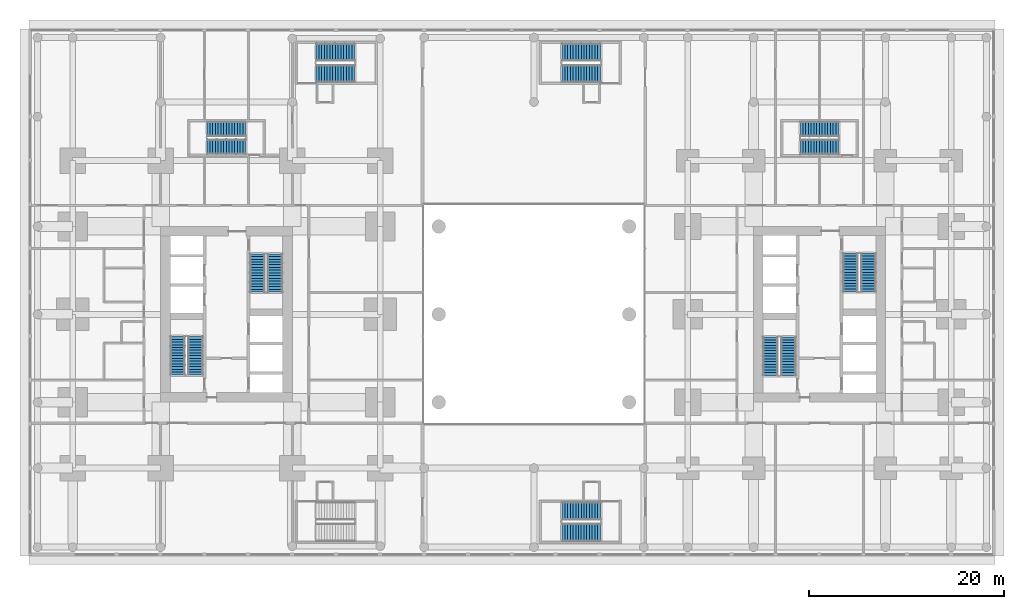
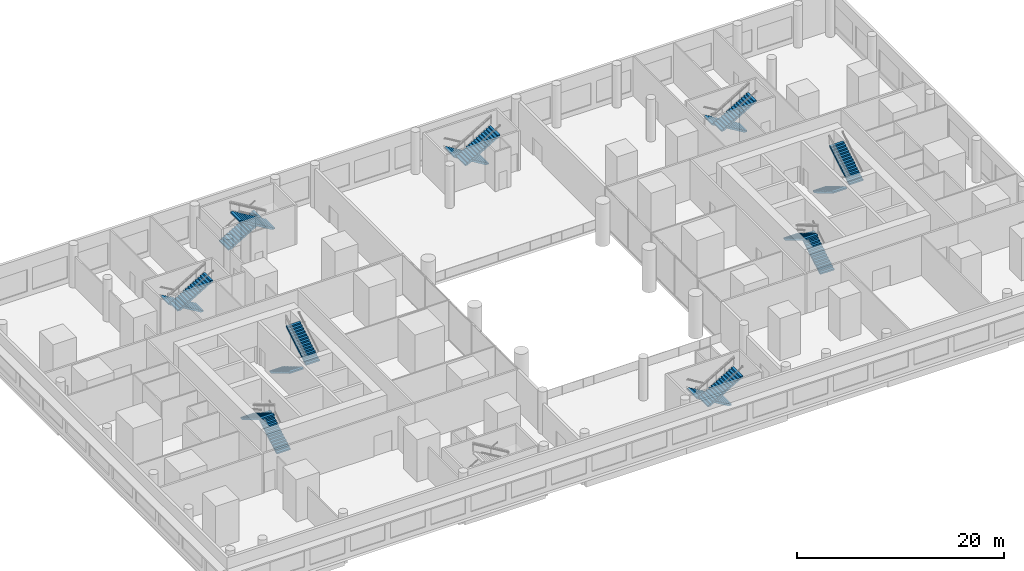
# One storey, part 17 of 21: 18 stair flights, 9 elements without a shape of their own.
"""IFC4 building model written with IfcOpenShell, lengths in metres."""

from ifc_helpers import new_model, si_unit, direction, frame, origin, place, context, subcontext, project, spatial, polyline, outline, extrude, material, type_object, element, aggregate, save


model = new_model("IFC4")

# Units and contexts
model_context = context("Model", 3, precision=1e-05, world=origin(), true_north=direction((0.0, 1.0)))
body_context = subcontext(model_context, "Body", "Model", "MODEL_VIEW")
ifc_project = project(units=[si_unit("LENGTHUNIT", "METRE"), si_unit("AREAUNIT", "SQUARE_METRE"), si_unit("VOLUMEUNIT", "CUBIC_METRE"), si_unit("PLANEANGLEUNIT", "RADIAN"), si_unit("MASSUNIT", "GRAM", prefix="KILO")], contexts=[model_context])

# Site, building, storey
site_placement = place(None, origin())
site = spatial("IfcSite", under=ifc_project, at=site_placement, CompositionType="ELEMENT")
building_placement = place(site_placement, origin())
building = spatial("IfcBuilding", under=site, at=building_placement, Name="Namib Vertical Campus", CompositionType="ELEMENT")
storey_placement = place(building_placement, frame((0.0, 0.0, 6.0)))
storey = spatial("IfcBuildingStorey", under=building, at=storey_placement, Name="L01", CompositionType="ELEMENT", Elevation=6.0)

# Stair, stair flights
ifc_material_1 = material(Name="Concrete C40/50 precast", Category="concrete")
stair_type_1 = type_object("IfcStairType", Name="Exit stair 5000 rise 30 risers 3350 wide", PredefinedType="HALF_TURN_STAIR", material=ifc_material_1)
stair_1_placement = place(storey_placement, origin())
stair_1 = element("IfcStair", 1, at=stair_1_placement, inside=storey, type_object=stair_type_1, Name="Exit stair A-S1 L01", PredefinedType="HALF_TURN_STAIR")
ifc_material_2 = material(Name="Concrete C40/50 precast", Category="concrete")
stair_flight_type_1 = type_object("IfcStairFlightType", Name="Stair flight 15 risers 167 1525 wide", PredefinedType="STRAIGHT", material=ifc_material_2)
stair_flight_1_placement = place(storey_placement, frame((17.08740234375, 14.050048828125, 0.0), z_axis=(0.0, 0.0, 1.0), x_axis=(0.0, 1.0, 0.0)))
stair_flight_1 = element("IfcStairFlight", 2, at=stair_flight_1_placement, type_object=stair_flight_type_1, Name="A-S1 flight 1", NumberOfRisers=15, NumberOfTreads=14, PredefinedType="STRAIGHT", RiserHeight=0.166666667, TreadLength=0.28, context=body_context, shape_type="SweptSolid", body=[
    extrude(outline(polyline([(0.0, 0.0), (0.0, 0.166748046875), (0.280029296875, 0.166748046875), (0.280029296875, 0.333251953125), (0.56005859375, 0.333251953125), (0.56005859375, 0.5), (0.840087890625, 0.5), (0.840087890625, 0.666748046875), (1.1201171875, 0.666748046875), (1.1201171875, 0.833251953125), (1.39990234375, 0.833251953125), (1.39990234375, 1.0), (1.679931640625, 1.0), (1.679931640625, 1.166748046875), (1.9599609375, 1.166748046875), (1.9599609375, 1.333251953125), (2.239990234375, 1.333251953125), (2.239990234375, 1.5), (2.52001953125, 1.5), (2.52001953125, 1.666748046875), (2.800048828125, 1.666748046875), (2.800048828125, 1.833251953125), (3.080078125, 1.833251953125), (3.080078125, 2.0), (3.360107421875, 2.0), (3.360107421875, 2.166748046875), (3.639892578125, 2.166748046875), (3.639892578125, 2.333251953125), (3.919921875, 2.333251953125), (3.919921875, 2.5), (3.919921875, 2.158935546875), (0.29296875, 0.0), (0.0, 0.0)])), frame((0.0, 0.762451171875, 0.0), z_axis=(0.0, -1.0, 0.0), x_axis=(1.0, 0.0, 0.0)), (0.0, 0.0, 1.0), 1.52490234375),
])
stair_flight_2_placement = place(storey_placement, frame((15.262451171875, 17.969970703125, 2.5), z_axis=(0.0, 0.0, 1.0), x_axis=(0.0, -1.0, 0.0)))
stair_flight_2 = element("IfcStairFlight", 3, at=stair_flight_2_placement, type_object=stair_flight_type_1, Name="A-S1 flight 2", NumberOfRisers=15, NumberOfTreads=14, PredefinedType="STRAIGHT", RiserHeight=0.166666667, TreadLength=0.28, context=body_context, shape_type="SweptSolid", body=[
    extrude(outline(polyline([(0.0, 0.0), (0.0, 0.166748046875), (0.280029296875, 0.166748046875), (0.280029296875, 0.333251953125), (0.56005859375, 0.333251953125), (0.56005859375, 0.5), (0.840087890625, 0.5), (0.840087890625, 0.666748046875), (1.1201171875, 0.666748046875), (1.1201171875, 0.833251953125), (1.39990234375, 0.833251953125), (1.39990234375, 1.0), (1.679931640625, 1.0), (1.679931640625, 1.166748046875), (1.9599609375, 1.166748046875), (1.9599609375, 1.333251953125), (2.239990234375, 1.333251953125), (2.239990234375, 1.5), (2.52001953125, 1.5), (2.52001953125, 1.666748046875), (2.800048828125, 1.666748046875), (2.800048828125, 1.833251953125), (3.080078125, 1.833251953125), (3.080078125, 2.0), (3.360107421875, 2.0), (3.360107421875, 2.166748046875), (3.639892578125, 2.166748046875), (3.639892578125, 2.333251953125), (3.919921875, 2.333251953125), (3.919921875, 2.5), (3.919921875, 2.158935546875), (0.29296875, 0.0), (0.0, 0.0)])), frame((0.0, 0.762451171875, 0.0), z_axis=(0.0, -1.0, 0.0), x_axis=(1.0, 0.0, 0.0)), (0.0, 0.0, 1.0), 1.52490234375),
])
aggregate(stair_1, [stair_flight_1, stair_flight_2])

stair_2_placement = place(storey_placement, origin())
stair_2 = element("IfcStair", 4, at=stair_2_placement, inside=storey, type_object=stair_type_1, Name="Exit stair A-S2 L01", PredefinedType="HALF_TURN_STAIR")
stair_flight_3_placement = place(storey_placement, frame((23.41259765625, 26.449951171875, 0.0), z_axis=(0.0, 0.0, 1.0), x_axis=(0.0, -1.0, 0.0)))
stair_flight_3 = element("IfcStairFlight", 5, at=stair_flight_3_placement, type_object=stair_flight_type_1, Name="A-S2 flight 1", NumberOfRisers=15, NumberOfTreads=14, PredefinedType="STRAIGHT", RiserHeight=0.166666667, TreadLength=0.28, context=body_context, shape_type="SweptSolid", body=[
    extrude(outline(polyline([(0.0, 0.0), (0.0, 0.166748046875), (0.280029296875, 0.166748046875), (0.280029296875, 0.333251953125), (0.56005859375, 0.333251953125), (0.56005859375, 0.5), (0.840087890625, 0.5), (0.840087890625, 0.666748046875), (1.1201171875, 0.666748046875), (1.1201171875, 0.833251953125), (1.39990234375, 0.833251953125), (1.39990234375, 1.0), (1.679931640625, 1.0), (1.679931640625, 1.166748046875), (1.9599609375, 1.166748046875), (1.9599609375, 1.333251953125), (2.239990234375, 1.333251953125), (2.239990234375, 1.5), (2.52001953125, 1.5), (2.52001953125, 1.666748046875), (2.800048828125, 1.666748046875), (2.800048828125, 1.833251953125), (3.080078125, 1.833251953125), (3.080078125, 2.0), (3.360107421875, 2.0), (3.360107421875, 2.166748046875), (3.639892578125, 2.166748046875), (3.639892578125, 2.333251953125), (3.919921875, 2.333251953125), (3.919921875, 2.5), (3.919921875, 2.158935546875), (0.29296875, 0.0), (0.0, 0.0)])), frame((0.0, 0.762451171875, 0.0), z_axis=(0.0, -1.0, 0.0), x_axis=(1.0, 0.0, 0.0)), (0.0, 0.0, 1.0), 1.52490234375),
])
stair_flight_4_placement = place(storey_placement, frame((25.237548828125, 22.530029296875, 2.5), z_axis=(0.0, 0.0, 1.0), x_axis=(0.0, 1.0, 0.0)))
stair_flight_4 = element("IfcStairFlight", 6, at=stair_flight_4_placement, type_object=stair_flight_type_1, Name="A-S2 flight 2", NumberOfRisers=15, NumberOfTreads=14, PredefinedType="STRAIGHT", RiserHeight=0.166666667, TreadLength=0.28, context=body_context, shape_type="SweptSolid", body=[
    extrude(outline(polyline([(0.0, 0.0), (0.0, 0.166748046875), (0.280029296875, 0.166748046875), (0.280029296875, 0.333251953125), (0.56005859375, 0.333251953125), (0.56005859375, 0.5), (0.840087890625, 0.5), (0.840087890625, 0.666748046875), (1.1201171875, 0.666748046875), (1.1201171875, 0.833251953125), (1.39990234375, 0.833251953125), (1.39990234375, 1.0), (1.679931640625, 1.0), (1.679931640625, 1.166748046875), (1.9599609375, 1.166748046875), (1.9599609375, 1.333251953125), (2.239990234375, 1.333251953125), (2.239990234375, 1.5), (2.52001953125, 1.5), (2.52001953125, 1.666748046875), (2.800048828125, 1.666748046875), (2.800048828125, 1.833251953125), (3.080078125, 1.833251953125), (3.080078125, 2.0), (3.360107421875, 2.0), (3.360107421875, 2.166748046875), (3.639892578125, 2.166748046875), (3.639892578125, 2.333251953125), (3.919921875, 2.333251953125), (3.919921875, 2.5), (3.919921875, 2.158935546875), (0.29296875, 0.0), (0.0, 0.0)])), frame((0.0, 0.762451171875, 0.0), z_axis=(0.0, -1.0, 0.0), x_axis=(1.0, 0.0, 0.0)), (0.0, 0.0, 1.0), 1.52490234375),
])
aggregate(stair_2, [stair_flight_3, stair_flight_4])

stair_3_placement = place(storey_placement, origin())
stair_3 = element("IfcStair", 7, at=stair_3_placement, inside=storey, type_object=stair_type_1, Name="Exit stair A-S3 L01", PredefinedType="HALF_TURN_STAIR")
stair_flight_5_placement = place(storey_placement, frame((22.199951171875, 39.237548828125, 0.0), z_axis=(0.0, 0.0, 1.0), x_axis=(-1.0, 0.0, 0.0)))
stair_flight_5 = element("IfcStairFlight", 8, at=stair_flight_5_placement, type_object=stair_flight_type_1, Name="A-S3 flight 1", NumberOfRisers=15, NumberOfTreads=14, PredefinedType="STRAIGHT", RiserHeight=0.166666667, TreadLength=0.28, context=body_context, shape_type="SweptSolid", body=[
    extrude(outline(polyline([(0.0, 0.0), (0.0, 0.166748046875), (0.280029296875, 0.166748046875), (0.280029296875, 0.333251953125), (0.56005859375, 0.333251953125), (0.56005859375, 0.5), (0.840087890625, 0.5), (0.840087890625, 0.666748046875), (1.1201171875, 0.666748046875), (1.1201171875, 0.833251953125), (1.39990234375, 0.833251953125), (1.39990234375, 1.0), (1.679931640625, 1.0), (1.679931640625, 1.166748046875), (1.9599609375, 1.166748046875), (1.9599609375, 1.333251953125), (2.239990234375, 1.333251953125), (2.239990234375, 1.5), (2.52001953125, 1.5), (2.52001953125, 1.666748046875), (2.800048828125, 1.666748046875), (2.800048828125, 1.833251953125), (3.080078125, 1.833251953125), (3.080078125, 2.0), (3.360107421875, 2.0), (3.360107421875, 2.166748046875), (3.639892578125, 2.166748046875), (3.639892578125, 2.333251953125), (3.919921875, 2.333251953125), (3.919921875, 2.5), (3.919921875, 2.158935546875), (0.29296875, 0.0), (0.0, 0.0)])), frame((0.0, 0.762451171875, 0.0), z_axis=(0.0, -1.0, 0.0), x_axis=(1.0, 0.0, 0.0)), (0.0, 0.0, 1.0), 1.52490234375),
])
stair_flight_6_placement = place(storey_placement, frame((18.280029296875, 37.41259765625, 2.5), z_axis=(0.0, 0.0, 1.0), x_axis=(1.0, 0.0, 0.0)))
stair_flight_6 = element("IfcStairFlight", 9, at=stair_flight_6_placement, type_object=stair_flight_type_1, Name="A-S3 flight 2", NumberOfRisers=15, NumberOfTreads=14, PredefinedType="STRAIGHT", RiserHeight=0.166666667, TreadLength=0.28, context=body_context, shape_type="SweptSolid", body=[
    extrude(outline(polyline([(0.0, 0.0), (0.0, 0.166748046875), (0.280029296875, 0.166748046875), (0.280029296875, 0.333251953125), (0.56005859375, 0.333251953125), (0.56005859375, 0.5), (0.840087890625, 0.5), (0.840087890625, 0.666748046875), (1.1201171875, 0.666748046875), (1.1201171875, 0.833251953125), (1.39990234375, 0.833251953125), (1.39990234375, 1.0), (1.679931640625, 1.0), (1.679931640625, 1.166748046875), (1.9599609375, 1.166748046875), (1.9599609375, 1.333251953125), (2.239990234375, 1.333251953125), (2.239990234375, 1.5), (2.52001953125, 1.5), (2.52001953125, 1.666748046875), (2.800048828125, 1.666748046875), (2.800048828125, 1.833251953125), (3.080078125, 1.833251953125), (3.080078125, 2.0), (3.360107421875, 2.0), (3.360107421875, 2.166748046875), (3.639892578125, 2.166748046875), (3.639892578125, 2.333251953125), (3.919921875, 2.333251953125), (3.919921875, 2.5), (3.919921875, 2.158935546875), (0.29296875, 0.0), (0.0, 0.0)])), frame((0.0, 0.762451171875, 0.0), z_axis=(0.0, -1.0, 0.0), x_axis=(1.0, 0.0, 0.0)), (0.0, 0.0, 1.0), 1.52490234375),
])
aggregate(stair_3, [stair_flight_5, stair_flight_6])

ifc_material_3 = material(Name="Concrete C40/50 precast", Category="concrete")
stair_type_2 = type_object("IfcStairType", Name="Exit stair 5000 rise 30 risers 3400 wide", PredefinedType="HALF_TURN_STAIR", material=ifc_material_3)
stair_4_placement = place(storey_placement, origin())
stair_4 = element("IfcStair", 10, at=stair_4_placement, inside=storey, type_object=stair_type_2, Name="Exit stair B-S1 L01", PredefinedType="HALF_TURN_STAIR")
ifc_material_4 = material(Name="Concrete C40/50 precast", Category="concrete")
stair_flight_type_2 = type_object("IfcStairFlightType", Name="Stair flight 15 risers 167 1550 wide", PredefinedType="STRAIGHT", material=ifc_material_4)
stair_flight_7_placement = place(storey_placement, frame((77.824951171875, 14.0, 0.0), z_axis=(0.0, 0.0, 1.0), x_axis=(0.0, 1.0, 0.0)))
stair_flight_7 = element("IfcStairFlight", 11, at=stair_flight_7_placement, type_object=stair_flight_type_2, Name="B-S1 flight 1", NumberOfRisers=15, NumberOfTreads=14, PredefinedType="STRAIGHT", RiserHeight=0.166666667, TreadLength=0.28, context=body_context, shape_type="SweptSolid", body=[
    extrude(outline(polyline([(0.0, 0.0), (0.0, 0.166748046875), (0.280029296875, 0.166748046875), (0.280029296875, 0.333251953125), (0.56005859375, 0.333251953125), (0.56005859375, 0.5), (0.840087890625, 0.5), (0.840087890625, 0.666748046875), (1.1201171875, 0.666748046875), (1.1201171875, 0.833251953125), (1.39990234375, 0.833251953125), (1.39990234375, 1.0), (1.679931640625, 1.0), (1.679931640625, 1.166748046875), (1.9599609375, 1.166748046875), (1.9599609375, 1.333251953125), (2.239990234375, 1.333251953125), (2.239990234375, 1.5), (2.52001953125, 1.5), (2.52001953125, 1.666748046875), (2.800048828125, 1.666748046875), (2.800048828125, 1.833251953125), (3.080078125, 1.833251953125), (3.080078125, 2.0), (3.360107421875, 2.0), (3.360107421875, 2.166748046875), (3.639892578125, 2.166748046875), (3.639892578125, 2.333251953125), (3.919921875, 2.333251953125), (3.919921875, 2.5), (3.919921875, 2.158935546875), (0.29296875, 0.0), (0.0, 0.0)])), frame((0.0, 0.77490234375, 0.0), z_axis=(0.0, -1.0, 0.0), x_axis=(1.0, 0.0, 0.0)), (0.0, 0.0, 1.0), 1.550048828125),
])
stair_flight_8_placement = place(storey_placement, frame((75.97509765625, 17.919921875, 2.5), z_axis=(0.0, 0.0, 1.0), x_axis=(0.0, -1.0, 0.0)))
stair_flight_8 = element("IfcStairFlight", 12, at=stair_flight_8_placement, type_object=stair_flight_type_2, Name="B-S1 flight 2", NumberOfRisers=15, NumberOfTreads=14, PredefinedType="STRAIGHT", RiserHeight=0.166666667, TreadLength=0.28, context=body_context, shape_type="SweptSolid", body=[
    extrude(outline(polyline([(0.0, 0.0), (0.0, 0.166748046875), (0.280029296875, 0.166748046875), (0.280029296875, 0.333251953125), (0.56005859375, 0.333251953125), (0.56005859375, 0.5), (0.840087890625, 0.5), (0.840087890625, 0.666748046875), (1.1201171875, 0.666748046875), (1.1201171875, 0.833251953125), (1.39990234375, 0.833251953125), (1.39990234375, 1.0), (1.679931640625, 1.0), (1.679931640625, 1.166748046875), (1.9599609375, 1.166748046875), (1.9599609375, 1.333251953125), (2.239990234375, 1.333251953125), (2.239990234375, 1.5), (2.52001953125, 1.5), (2.52001953125, 1.666748046875), (2.800048828125, 1.666748046875), (2.800048828125, 1.833251953125), (3.080078125, 1.833251953125), (3.080078125, 2.0), (3.360107421875, 2.0), (3.360107421875, 2.166748046875), (3.639892578125, 2.166748046875), (3.639892578125, 2.333251953125), (3.919921875, 2.333251953125), (3.919921875, 2.5), (3.919921875, 2.158935546875), (0.29296875, 0.0), (0.0, 0.0)])), frame((0.0, 0.77490234375, 0.0), z_axis=(0.0, -1.0, 0.0), x_axis=(1.0, 0.0, 0.0)), (0.0, 0.0, 1.0), 1.550048828125),
])
aggregate(stair_4, [stair_flight_7, stair_flight_8])

stair_5_placement = place(storey_placement, origin())
stair_5 = element("IfcStair", 13, at=stair_5_placement, inside=storey, type_object=stair_type_2, Name="Exit stair B-S2 L01", PredefinedType="HALF_TURN_STAIR")
stair_flight_9_placement = place(storey_placement, frame((84.175048828125, 26.5, 0.0), z_axis=(0.0, 0.0, 1.0), x_axis=(0.0, -1.0, 0.0)))
stair_flight_9 = element("IfcStairFlight", 14, at=stair_flight_9_placement, type_object=stair_flight_type_2, Name="B-S2 flight 1", NumberOfRisers=15, NumberOfTreads=14, PredefinedType="STRAIGHT", RiserHeight=0.166666667, TreadLength=0.28, context=body_context, shape_type="SweptSolid", body=[
    extrude(outline(polyline([(0.0, 0.0), (0.0, 0.166748046875), (0.280029296875, 0.166748046875), (0.280029296875, 0.333251953125), (0.56005859375, 0.333251953125), (0.56005859375, 0.5), (0.840087890625, 0.5), (0.840087890625, 0.666748046875), (1.1201171875, 0.666748046875), (1.1201171875, 0.833251953125), (1.39990234375, 0.833251953125), (1.39990234375, 1.0), (1.679931640625, 1.0), (1.679931640625, 1.166748046875), (1.9599609375, 1.166748046875), (1.9599609375, 1.333251953125), (2.239990234375, 1.333251953125), (2.239990234375, 1.5), (2.52001953125, 1.5), (2.52001953125, 1.666748046875), (2.800048828125, 1.666748046875), (2.800048828125, 1.833251953125), (3.080078125, 1.833251953125), (3.080078125, 2.0), (3.360107421875, 2.0), (3.360107421875, 2.166748046875), (3.639892578125, 2.166748046875), (3.639892578125, 2.333251953125), (3.919921875, 2.333251953125), (3.919921875, 2.5), (3.919921875, 2.158935546875), (0.29296875, 0.0), (0.0, 0.0)])), frame((0.0, 0.77490234375, 0.0), z_axis=(0.0, -1.0, 0.0), x_axis=(1.0, 0.0, 0.0)), (0.0, 0.0, 1.0), 1.550048828125),
])
stair_flight_10_placement = place(storey_placement, frame((86.02490234375, 22.580078125, 2.5), z_axis=(0.0, 0.0, 1.0), x_axis=(0.0, 1.0, 0.0)))
stair_flight_10 = element("IfcStairFlight", 15, at=stair_flight_10_placement, type_object=stair_flight_type_2, Name="B-S2 flight 2", NumberOfRisers=15, NumberOfTreads=14, PredefinedType="STRAIGHT", RiserHeight=0.166666667, TreadLength=0.28, context=body_context, shape_type="SweptSolid", body=[
    extrude(outline(polyline([(0.0, 0.0), (0.0, 0.166748046875), (0.280029296875, 0.166748046875), (0.280029296875, 0.333251953125), (0.56005859375, 0.333251953125), (0.56005859375, 0.5), (0.840087890625, 0.5), (0.840087890625, 0.666748046875), (1.1201171875, 0.666748046875), (1.1201171875, 0.833251953125), (1.39990234375, 0.833251953125), (1.39990234375, 1.0), (1.679931640625, 1.0), (1.679931640625, 1.166748046875), (1.9599609375, 1.166748046875), (1.9599609375, 1.333251953125), (2.239990234375, 1.333251953125), (2.239990234375, 1.5), (2.52001953125, 1.5), (2.52001953125, 1.666748046875), (2.800048828125, 1.666748046875), (2.800048828125, 1.833251953125), (3.080078125, 1.833251953125), (3.080078125, 2.0), (3.360107421875, 2.0), (3.360107421875, 2.166748046875), (3.639892578125, 2.166748046875), (3.639892578125, 2.333251953125), (3.919921875, 2.333251953125), (3.919921875, 2.5), (3.919921875, 2.158935546875), (0.29296875, 0.0), (0.0, 0.0)])), frame((0.0, 0.77490234375, 0.0), z_axis=(0.0, -1.0, 0.0), x_axis=(1.0, 0.0, 0.0)), (0.0, 0.0, 1.0), 1.550048828125),
])
aggregate(stair_5, [stair_flight_9, stair_flight_10])

stair_6_placement = place(storey_placement, origin())
stair_6 = element("IfcStair", 16, at=stair_6_placement, inside=storey, type_object=stair_type_2, Name="Exit stair B-S3 L01", PredefinedType="HALF_TURN_STAIR")
stair_flight_11_placement = place(storey_placement, frame((82.949951171875, 39.22509765625, 0.0), z_axis=(0.0, 0.0, 1.0), x_axis=(-1.0, 0.0, 0.0)))
stair_flight_11 = element("IfcStairFlight", 17, at=stair_flight_11_placement, type_object=stair_flight_type_2, Name="B-S3 flight 1", NumberOfRisers=15, NumberOfTreads=14, PredefinedType="STRAIGHT", RiserHeight=0.166666667, TreadLength=0.28, context=body_context, shape_type="SweptSolid", body=[
    extrude(outline(polyline([(0.0, 0.0), (0.0, 0.166748046875), (0.280029296875, 0.166748046875), (0.280029296875, 0.333251953125), (0.56005859375, 0.333251953125), (0.56005859375, 0.5), (0.840087890625, 0.5), (0.840087890625, 0.666748046875), (1.1201171875, 0.666748046875), (1.1201171875, 0.833251953125), (1.39990234375, 0.833251953125), (1.39990234375, 1.0), (1.679931640625, 1.0), (1.679931640625, 1.166748046875), (1.9599609375, 1.166748046875), (1.9599609375, 1.333251953125), (2.239990234375, 1.333251953125), (2.239990234375, 1.5), (2.52001953125, 1.5), (2.52001953125, 1.666748046875), (2.800048828125, 1.666748046875), (2.800048828125, 1.833251953125), (3.080078125, 1.833251953125), (3.080078125, 2.0), (3.360107421875, 2.0), (3.360107421875, 2.166748046875), (3.639892578125, 2.166748046875), (3.639892578125, 2.333251953125), (3.919921875, 2.333251953125), (3.919921875, 2.5), (3.919921875, 2.158935546875), (0.29296875, 0.0), (0.0, 0.0)])), frame((0.0, 0.77490234375, 0.0), z_axis=(0.0, -1.0, 0.0), x_axis=(1.0, 0.0, 0.0)), (0.0, 0.0, 1.0), 1.550048828125),
])
stair_flight_12_placement = place(storey_placement, frame((79.030029296875, 37.375, 2.5), z_axis=(0.0, 0.0, 1.0), x_axis=(1.0, 0.0, 0.0)))
stair_flight_12 = element("IfcStairFlight", 18, at=stair_flight_12_placement, type_object=stair_flight_type_2, Name="B-S3 flight 2", NumberOfRisers=15, NumberOfTreads=14, PredefinedType="STRAIGHT", RiserHeight=0.166666667, TreadLength=0.28, context=body_context, shape_type="SweptSolid", body=[
    extrude(outline(polyline([(0.0, 0.0), (0.0, 0.166748046875), (0.280029296875, 0.166748046875), (0.280029296875, 0.333251953125), (0.56005859375, 0.333251953125), (0.56005859375, 0.5), (0.840087890625, 0.5), (0.840087890625, 0.666748046875), (1.1201171875, 0.666748046875), (1.1201171875, 0.833251953125), (1.39990234375, 0.833251953125), (1.39990234375, 1.0), (1.679931640625, 1.0), (1.679931640625, 1.166748046875), (1.9599609375, 1.166748046875), (1.9599609375, 1.333251953125), (2.239990234375, 1.333251953125), (2.239990234375, 1.5), (2.52001953125, 1.5), (2.52001953125, 1.666748046875), (2.800048828125, 1.666748046875), (2.800048828125, 1.833251953125), (3.080078125, 1.833251953125), (3.080078125, 2.0), (3.360107421875, 2.0), (3.360107421875, 2.166748046875), (3.639892578125, 2.166748046875), (3.639892578125, 2.333251953125), (3.919921875, 2.333251953125), (3.919921875, 2.5), (3.919921875, 2.158935546875), (0.29296875, 0.0), (0.0, 0.0)])), frame((0.0, 0.77490234375, 0.0), z_axis=(0.0, -1.0, 0.0), x_axis=(1.0, 0.0, 0.0)), (0.0, 0.0, 1.0), 1.550048828125),
])
aggregate(stair_6, [stair_flight_11, stair_flight_12])

ifc_material_5 = material(Name="Concrete C40/50 precast", Category="concrete")
stair_type_3 = type_object("IfcStairType", Name="Podium exit stair 5000 rise 30 risers 1800 flights", PredefinedType="HALF_TURN_STAIR", material=ifc_material_5)
stair_7_placement = place(storey_placement, origin())
stair_7 = element("IfcStair", 19, at=stair_7_placement, inside=storey, type_object=stair_type_3, Name="Exit stair P-S1 L01", PredefinedType="HALF_TURN_STAIR")
ifc_material_6 = material(Name="Concrete C40/50 precast", Category="concrete")
stair_flight_type_3 = type_object("IfcStairFlightType", Name="Stair flight 15 risers 167 1800 wide", PredefinedType="STRAIGHT", material=ifc_material_6)
stair_flight_13_placement = place(storey_placement, frame((29.446044921875, 47.10009765625, 0.0), z_axis=(0.0, 0.0, 1.0), x_axis=(1.0, 0.0, 0.0)))
stair_flight_13 = element("IfcStairFlight", 20, at=stair_flight_13_placement, type_object=stair_flight_type_3, Name="P-S1 flight 1", NumberOfRisers=15, NumberOfTreads=14, PredefinedType="STRAIGHT", RiserHeight=0.166666667, TreadLength=0.28, context=body_context, shape_type="SweptSolid", body=[
    extrude(outline(polyline([(0.0, 0.0), (0.0, 0.166748046875), (0.280029296875, 0.166748046875), (0.280029296875, 0.333251953125), (0.56005859375, 0.333251953125), (0.56005859375, 0.5), (0.840087890625, 0.5), (0.840087890625, 0.666748046875), (1.1201171875, 0.666748046875), (1.1201171875, 0.833251953125), (1.39990234375, 0.833251953125), (1.39990234375, 1.0), (1.679931640625, 1.0), (1.679931640625, 1.166748046875), (1.9599609375, 1.166748046875), (1.9599609375, 1.333251953125), (2.239990234375, 1.333251953125), (2.239990234375, 1.5), (2.52001953125, 1.5), (2.52001953125, 1.666748046875), (2.800048828125, 1.666748046875), (2.800048828125, 1.833251953125), (3.080078125, 1.833251953125), (3.080078125, 2.0), (3.360107421875, 2.0), (3.360107421875, 2.166748046875), (3.639892578125, 2.166748046875), (3.639892578125, 2.333251953125), (3.919921875, 2.333251953125), (3.919921875, 2.5), (3.919921875, 2.158935546875), (0.29296875, 0.0), (0.0, 0.0)])), frame((0.0, 0.89990234375, 0.0), z_axis=(0.0, -1.0, 0.0), x_axis=(1.0, 0.0, 0.0)), (0.0, 0.0, 1.0), 1.800048828125),
])
stair_flight_14_placement = place(storey_placement, frame((33.3662109375, 44.89990234375, 2.5), z_axis=(0.0, 0.0, 1.0), x_axis=(-1.0, 0.0, 0.0)))
stair_flight_14 = element("IfcStairFlight", 21, at=stair_flight_14_placement, type_object=stair_flight_type_3, Name="P-S1 flight 2", NumberOfRisers=15, NumberOfTreads=14, PredefinedType="STRAIGHT", RiserHeight=0.166666667, TreadLength=0.28, context=body_context, shape_type="SweptSolid", body=[
    extrude(outline(polyline([(0.0, 0.0), (0.0, 0.166748046875), (0.280029296875, 0.166748046875), (0.280029296875, 0.333251953125), (0.56005859375, 0.333251953125), (0.56005859375, 0.5), (0.840087890625, 0.5), (0.840087890625, 0.666748046875), (1.1201171875, 0.666748046875), (1.1201171875, 0.833251953125), (1.39990234375, 0.833251953125), (1.39990234375, 1.0), (1.679931640625, 1.0), (1.679931640625, 1.166748046875), (1.9599609375, 1.166748046875), (1.9599609375, 1.333251953125), (2.239990234375, 1.333251953125), (2.239990234375, 1.5), (2.52001953125, 1.5), (2.52001953125, 1.666748046875), (2.800048828125, 1.666748046875), (2.800048828125, 1.833251953125), (3.080078125, 1.833251953125), (3.080078125, 2.0), (3.360107421875, 2.0), (3.360107421875, 2.166748046875), (3.639892578125, 2.166748046875), (3.639892578125, 2.333251953125), (3.919921875, 2.333251953125), (3.919921875, 2.5), (3.919921875, 2.158935546875), (0.29296875, 0.0), (0.0, 0.0)])), frame((0.0, 0.89990234375, 0.0), z_axis=(0.0, -1.0, 0.0), x_axis=(1.0, 0.0, 0.0)), (0.0, 0.0, 1.0), 1.800048828125),
])
aggregate(stair_7, [stair_flight_13, stair_flight_14])

stair_8_placement = place(storey_placement, origin())
stair_8 = element("IfcStair", 22, at=stair_8_placement, inside=storey, type_object=stair_type_3, Name="Exit stair P-S3 L01", PredefinedType="HALF_TURN_STAIR")
stair_flight_15_placement = place(storey_placement, frame((58.553955078125, 47.10009765625, 0.0), z_axis=(0.0, 0.0, 1.0), x_axis=(-1.0, 0.0, 0.0)))
stair_flight_15 = element("IfcStairFlight", 23, at=stair_flight_15_placement, type_object=stair_flight_type_3, Name="P-S3 flight 1", NumberOfRisers=15, NumberOfTreads=14, PredefinedType="STRAIGHT", RiserHeight=0.166666667, TreadLength=0.28, context=body_context, shape_type="SweptSolid", body=[
    extrude(outline(polyline([(0.0, 0.0), (0.0, 0.166748046875), (0.280029296875, 0.166748046875), (0.280029296875, 0.333251953125), (0.56005859375, 0.333251953125), (0.56005859375, 0.5), (0.840087890625, 0.5), (0.840087890625, 0.666748046875), (1.1201171875, 0.666748046875), (1.1201171875, 0.833251953125), (1.39990234375, 0.833251953125), (1.39990234375, 1.0), (1.679931640625, 1.0), (1.679931640625, 1.166748046875), (1.9599609375, 1.166748046875), (1.9599609375, 1.333251953125), (2.239990234375, 1.333251953125), (2.239990234375, 1.5), (2.52001953125, 1.5), (2.52001953125, 1.666748046875), (2.800048828125, 1.666748046875), (2.800048828125, 1.833251953125), (3.080078125, 1.833251953125), (3.080078125, 2.0), (3.360107421875, 2.0), (3.360107421875, 2.166748046875), (3.639892578125, 2.166748046875), (3.639892578125, 2.333251953125), (3.919921875, 2.333251953125), (3.919921875, 2.5), (3.919921875, 2.158935546875), (0.29296875, 0.0), (0.0, 0.0)])), frame((0.0, 0.89990234375, 0.0), z_axis=(0.0, -1.0, 0.0), x_axis=(1.0, 0.0, 0.0)), (0.0, 0.0, 1.0), 1.800048828125),
])
stair_flight_16_placement = place(storey_placement, frame((54.6337890625, 44.89990234375, 2.5), z_axis=(0.0, 0.0, 1.0), x_axis=(1.0, 0.0, 0.0)))
stair_flight_16 = element("IfcStairFlight", 24, at=stair_flight_16_placement, type_object=stair_flight_type_3, Name="P-S3 flight 2", NumberOfRisers=15, NumberOfTreads=14, PredefinedType="STRAIGHT", RiserHeight=0.166666667, TreadLength=0.28, context=body_context, shape_type="SweptSolid", body=[
    extrude(outline(polyline([(0.0, 0.0), (0.0, 0.166748046875), (0.280029296875, 0.166748046875), (0.280029296875, 0.333251953125), (0.56005859375, 0.333251953125), (0.56005859375, 0.5), (0.840087890625, 0.5), (0.840087890625, 0.666748046875), (1.1201171875, 0.666748046875), (1.1201171875, 0.833251953125), (1.39990234375, 0.833251953125), (1.39990234375, 1.0), (1.679931640625, 1.0), (1.679931640625, 1.166748046875), (1.9599609375, 1.166748046875), (1.9599609375, 1.333251953125), (2.239990234375, 1.333251953125), (2.239990234375, 1.5), (2.52001953125, 1.5), (2.52001953125, 1.666748046875), (2.800048828125, 1.666748046875), (2.800048828125, 1.833251953125), (3.080078125, 1.833251953125), (3.080078125, 2.0), (3.360107421875, 2.0), (3.360107421875, 2.166748046875), (3.639892578125, 2.166748046875), (3.639892578125, 2.333251953125), (3.919921875, 2.333251953125), (3.919921875, 2.5), (3.919921875, 2.158935546875), (0.29296875, 0.0), (0.0, 0.0)])), frame((0.0, 0.89990234375, 0.0), z_axis=(0.0, -1.0, 0.0), x_axis=(1.0, 0.0, 0.0)), (0.0, 0.0, 1.0), 1.800048828125),
])
aggregate(stair_8, [stair_flight_15, stair_flight_16])

stair_9_placement = place(storey_placement, origin())
stair_9 = element("IfcStair", 25, at=stair_9_placement, inside=storey, type_object=stair_type_3, Name="Exit stair P-S4 L01", PredefinedType="HALF_TURN_STAIR")
stair_flight_17_placement = place(storey_placement, frame((58.553955078125, 0.10009765625, 0.0), z_axis=(0.0, 0.0, 1.0), x_axis=(-1.0, 0.0, 0.0)))
stair_flight_17 = element("IfcStairFlight", 26, at=stair_flight_17_placement, type_object=stair_flight_type_3, Name="P-S4 flight 1", NumberOfRisers=15, NumberOfTreads=14, PredefinedType="STRAIGHT", RiserHeight=0.166666667, TreadLength=0.28, context=body_context, shape_type="SweptSolid", body=[
    extrude(outline(polyline([(0.0, 0.0), (0.0, 0.166748046875), (0.280029296875, 0.166748046875), (0.280029296875, 0.333251953125), (0.56005859375, 0.333251953125), (0.56005859375, 0.5), (0.840087890625, 0.5), (0.840087890625, 0.666748046875), (1.1201171875, 0.666748046875), (1.1201171875, 0.833251953125), (1.39990234375, 0.833251953125), (1.39990234375, 1.0), (1.679931640625, 1.0), (1.679931640625, 1.166748046875), (1.9599609375, 1.166748046875), (1.9599609375, 1.333251953125), (2.239990234375, 1.333251953125), (2.239990234375, 1.5), (2.52001953125, 1.5), (2.52001953125, 1.666748046875), (2.800048828125, 1.666748046875), (2.800048828125, 1.833251953125), (3.080078125, 1.833251953125), (3.080078125, 2.0), (3.360107421875, 2.0), (3.360107421875, 2.166748046875), (3.639892578125, 2.166748046875), (3.639892578125, 2.333251953125), (3.919921875, 2.333251953125), (3.919921875, 2.5), (3.919921875, 2.158935546875), (0.29296875, 0.0), (0.0, 0.0)])), frame((0.0, 0.89990234375, 0.0), z_axis=(0.0, -1.0, 0.0), x_axis=(1.0, 0.0, 0.0)), (0.0, 0.0, 1.0), 1.800048828125),
])
stair_flight_18_placement = place(storey_placement, frame((54.6337890625, -2.10009765625, 2.5), z_axis=(0.0, 0.0, 1.0), x_axis=(1.0, 0.0, 0.0)))
stair_flight_18 = element("IfcStairFlight", 27, at=stair_flight_18_placement, type_object=stair_flight_type_3, Name="P-S4 flight 2", NumberOfRisers=15, NumberOfTreads=14, PredefinedType="STRAIGHT", RiserHeight=0.166666667, TreadLength=0.28, context=body_context, shape_type="SweptSolid", body=[
    extrude(outline(polyline([(0.0, 0.0), (0.0, 0.166748046875), (0.280029296875, 0.166748046875), (0.280029296875, 0.333251953125), (0.56005859375, 0.333251953125), (0.56005859375, 0.5), (0.840087890625, 0.5), (0.840087890625, 0.666748046875), (1.1201171875, 0.666748046875), (1.1201171875, 0.833251953125), (1.39990234375, 0.833251953125), (1.39990234375, 1.0), (1.679931640625, 1.0), (1.679931640625, 1.166748046875), (1.9599609375, 1.166748046875), (1.9599609375, 1.333251953125), (2.239990234375, 1.333251953125), (2.239990234375, 1.5), (2.52001953125, 1.5), (2.52001953125, 1.666748046875), (2.800048828125, 1.666748046875), (2.800048828125, 1.833251953125), (3.080078125, 1.833251953125), (3.080078125, 2.0), (3.360107421875, 2.0), (3.360107421875, 2.166748046875), (3.639892578125, 2.166748046875), (3.639892578125, 2.333251953125), (3.919921875, 2.333251953125), (3.919921875, 2.5), (3.919921875, 2.158935546875), (0.29296875, 0.0), (0.0, 0.0)])), frame((0.0, 0.89990234375, 0.0), z_axis=(0.0, -1.0, 0.0), x_axis=(1.0, 0.0, 0.0)), (0.0, 0.0, 1.0), 1.800048828125),
])
aggregate(stair_9, [stair_flight_17, stair_flight_18])

save(model, "model.ifc")
